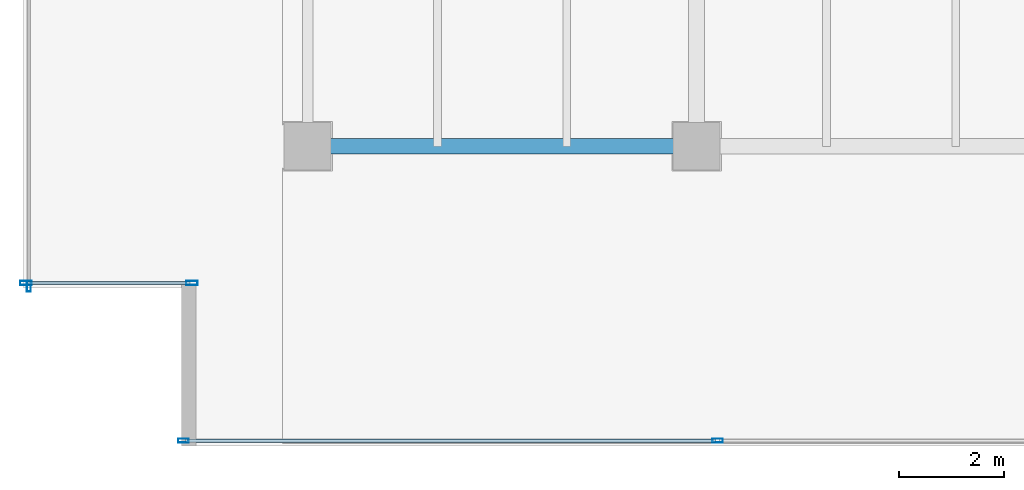
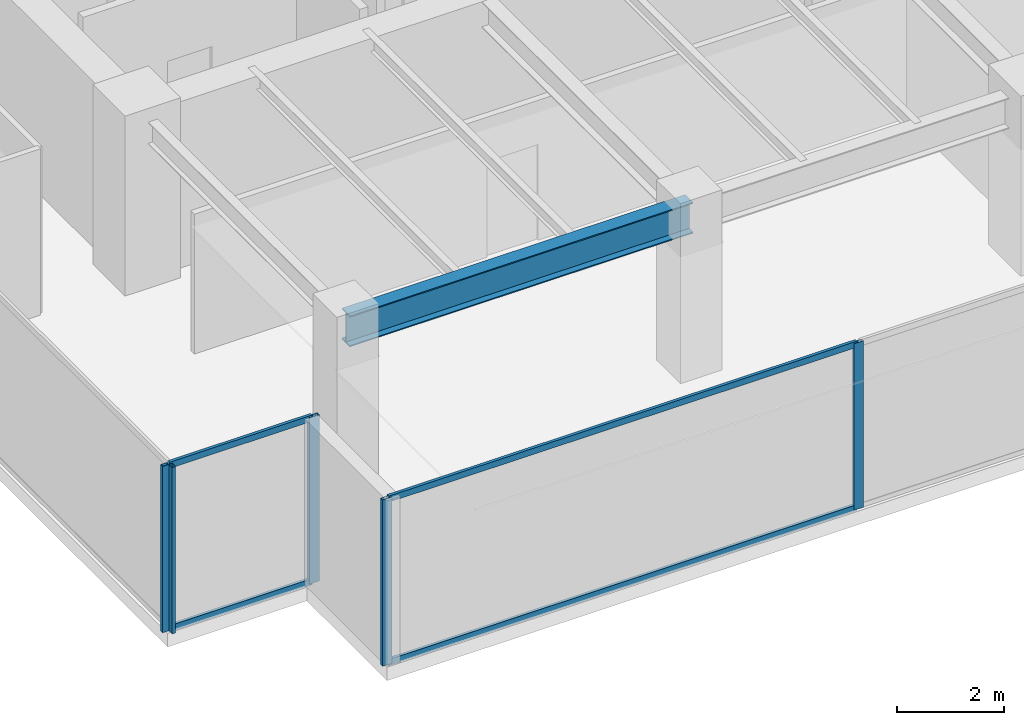
# One storey, part 2 of 34: 9 members, 1 beam, 3 elements without a shape of their own.
"""IFC4 building model written with IfcOpenShell, lengths in metres."""

from ifc_helpers import new_model, si_unit, direction, frame, origin, origin_2d, place, context, subcontext, project, spatial, hollow_rectangle, i_section, extrude, source, transform, mapped, material, layer, layer_set, material_profile, profile_set, type_object, type_shapes, element, aggregate, save


model = new_model("IFC4")

# Units and contexts
model_context = context("Model", 3, precision=1e-05, world=origin(), true_north=direction((0.0, 1.0)))
body_context = subcontext(model_context, "Body", "Model", "MODEL_VIEW")
ifc_project = project(units=[si_unit("LENGTHUNIT", "METRE"), si_unit("AREAUNIT", "SQUARE_METRE"), si_unit("VOLUMEUNIT", "CUBIC_METRE"), si_unit("PLANEANGLEUNIT", "RADIAN"), si_unit("MASSUNIT", "GRAM", prefix="KILO")], contexts=[model_context])

# Site, building, storey
site_placement = place(None, origin())
site = spatial("IfcSite", under=ifc_project, at=site_placement, CompositionType="ELEMENT")
building_placement = place(site_placement, origin())
building = spatial("IfcBuilding", under=site, at=building_placement, Name="Haelvirn Gate Laboratories", CompositionType="ELEMENT")
storey_placement = place(building_placement, frame((0.0, 0.0, 178.89990234375)))
storey = spatial("IfcBuildingStorey", under=building, at=storey_placement, Name="L43", CompositionType="ELEMENT", Elevation=178.89990234375)

# Beam
ifc_material_1 = material(Name="Steel SM355", Category="steel")
ifc_material_profile_1 = material_profile(ifc_material_1, i_section(OverallWidth=0.300048828125, OverallDepth=0.699951171875, WebThickness=0.012939453125, FlangeThickness=0.02392578125, at=origin_2d()), Name="H-700x300x13x24")
ifc_profile_set_1 = profile_set([ifc_material_profile_1], Name="Steel SM355")
beam_type = type_object("IfcBeamType", Name="BM-G-700", PredefinedType="BEAM", material=ifc_profile_set_1)
shared_shape_1 = source(origin(), body_context, "Body", "SweptSolid", [
    extrude(i_section(OverallWidth=0.300048828125, OverallDepth=0.699951171875, WebThickness=0.012939453125, FlangeThickness=0.02392578125, at=origin_2d()), origin(), (0.0, 0.0, 1.0), 7.400146484375),
])
type_shapes(beam_type, [shared_shape_1])
beam_placement = place(storey_placement, frame((7.39990234375, 7.0, 3.440185546875), z_axis=(1.0, 0.0, 0.0), x_axis=(0.0, 1.0, 0.0)))
element("IfcBeam", 1, at=beam_placement, inside=storey, type_object=beam_type, Name="L43 Primary Girder Y7.0 (7.4-14.8)", PredefinedType="BEAM", context=body_context, shape_type="MappedRepresentation", body=[
    mapped(shared_shape_1, transform((0.0, 0.0, 0.0), scale=1.0)),
])

# Curtain wall, members
ifc_material_2 = material(Name="Anodised bronze unitised aluminium & triple low-E glass", Category="aluminium")
ifc_layer_1 = layer(ifc_material_2, 0.179931640625, Name="CW-SYS-3")
ifc_layer_set_1 = layer_set([ifc_layer_1], Name="Anodised bronze unitised aluminium & triple low-E glass")
curtain_wall_type_1 = type_object("IfcCurtainWallType", Name="CW-SYS-3", PredefinedType="NOTDEFINED", material=ifc_layer_set_1)
curtain_wall_1_placement = place(storey_placement, origin())
curtain_wall_1 = element("IfcCurtainWall", 2, at=curtain_wall_1_placement, inside=storey, type_object=curtain_wall_type_1, Name="L43 Unitised Curtain Wall CW-L43-P0-E00-1", PredefinedType="NOTDEFINED")
ifc_material_3 = material(Name="Extruded aluminium 6063-T6 (anodised bronze)", Category="aluminium")
ifc_material_profile_2 = material_profile(ifc_material_3, hollow_rectangle(XDim=0.06494140625, YDim=0.139892578125, WallThickness=0.00390625, at=origin_2d()), Name="CWT-140x65x4")
ifc_profile_set_2 = profile_set([ifc_material_profile_2], Name="Extruded aluminium 6063-T6 (anodised bronze)")
member_type_1 = type_object("IfcMemberType", Name="CWT-T140", PredefinedType="USERDEFINED", material=ifc_profile_set_2)
shared_shape_2 = source(origin(), body_context, "Body", "SweptSolid", [
    extrude(hollow_rectangle(XDim=0.06494140625, YDim=0.139892578125, WallThickness=0.00390625, at=origin_2d()), origin(), (0.0, 0.0, 1.0), 10.087646484375),
])
member_1_placement = place(storey_placement, frame((5.074951171875, 1.39990234375, 0.03271484375), z_axis=(1.0, 0.0, 0.0), x_axis=(0.0, 1.0, 0.0)))
member_1 = element("IfcMember", 3, at=member_1_placement, type_object=member_type_1, Name="CW3 transom 1.1", ObjectType="TRANSOM", PredefinedType="USERDEFINED", context=body_context, shape_type="MappedRepresentation", body=[
    mapped(shared_shape_2, transform((0.0, 0.0, 0.0), scale=1.0)),
])
member_2_placement = place(storey_placement, frame((5.074951171875, 1.39990234375, 3.757568359375), z_axis=(1.0, 0.0, 0.0), x_axis=(0.0, 1.0, 0.0)))
member_2 = element("IfcMember", 4, at=member_2_placement, type_object=member_type_1, Name="CW3 transom 1.2", ObjectType="TRANSOM", PredefinedType="USERDEFINED", context=body_context, shape_type="MappedRepresentation", body=[
    mapped(shared_shape_2, transform((0.0, 0.0, 0.0), scale=1.0)),
])

ifc_layer_2 = layer(ifc_material_2, 0.181884765625, Name="CW-SYS-5")
ifc_layer_set_2 = layer_set([ifc_layer_2], Name="Anodised bronze unitised aluminium & triple low-E glass")
curtain_wall_type_2 = type_object("IfcCurtainWallType", Name="CW-SYS-5", PredefinedType="NOTDEFINED", material=ifc_layer_set_2)
curtain_wall_2_placement = place(storey_placement, origin())
curtain_wall_2 = element("IfcCurtainWall", 5, at=curtain_wall_2_placement, inside=storey, type_object=curtain_wall_type_2, Name="L43 Unitised Curtain Wall CW-L43-P0-E18-1", PredefinedType="NOTDEFINED")
shared_shape_3 = source(origin(), body_context, "Body", "SweptSolid", [
    extrude(hollow_rectangle(XDim=0.06494140625, YDim=0.139892578125, WallThickness=0.00390625, at=origin_2d()), origin(), (0.0, 0.0, 1.0), 3.079833984375),
])
type_shapes(member_type_1, [shared_shape_2, shared_shape_3])
member_3_placement = place(storey_placement, frame((2.080078125, 4.39990234375, 0.03271484375), z_axis=(1.0, 0.0, 0.0), x_axis=(0.0, 1.0, 0.0)))
member_3 = element("IfcMember", 6, at=member_3_placement, type_object=member_type_1, Name="CW5 transom 1.1", ObjectType="TRANSOM", PredefinedType="USERDEFINED", context=body_context, shape_type="MappedRepresentation", body=[
    mapped(shared_shape_3, transform((0.0, 0.0, 0.0), scale=1.0)),
])
member_4_placement = place(storey_placement, frame((2.080078125, 4.39990234375, 3.757568359375), z_axis=(1.0, 0.0, 0.0), x_axis=(0.0, 1.0, 0.0)))
member_4 = element("IfcMember", 7, at=member_4_placement, type_object=member_type_1, Name="CW5 transom 1.2", ObjectType="TRANSOM", PredefinedType="USERDEFINED", context=body_context, shape_type="MappedRepresentation", body=[
    mapped(shared_shape_3, transform((0.0, 0.0, 0.0), scale=1.0)),
])

# Member
ifc_material_profile_3 = material_profile(ifc_material_3, hollow_rectangle(XDim=0.074951171875, YDim=0.199951171875, WallThickness=0.0048828125, at=origin_2d()), Name="CWM-200x75x5")
ifc_profile_set_3 = profile_set([ifc_material_profile_3], Name="Extruded aluminium 6063-T6 (anodised bronze)")
member_type_2 = type_object("IfcMemberType", Name="CWM-T200", PredefinedType="MULLION", material=ifc_profile_set_3)
shared_shape_4 = source(origin(), body_context, "Body", "SweptSolid", [
    extrude(hollow_rectangle(XDim=0.074951171875, YDim=0.199951171875, WallThickness=0.0048828125, at=origin_2d()), origin(), (0.0, 0.0, 1.0), 3.7900390625),
])
type_shapes(member_type_2, [shared_shape_4])
member_5_placement = place(storey_placement, frame((5.03759765625, 1.39990234375, 0.0), z_axis=(0.0, 0.0, 1.0), x_axis=(0.0, 1.0, 0.0)))
member_5 = element("IfcMember", 8, at=member_5_placement, type_object=member_type_2, Name="CW3 mullion 1", PredefinedType="MULLION", context=body_context, shape_type="MappedRepresentation", body=[
    mapped(shared_shape_4, transform((0.0, 0.0, 0.0), scale=1.0)),
])

member_6_placement = place(storey_placement, frame((15.199951171875, 1.39990234375, 0.0), z_axis=(0.0, 0.0, 1.0), x_axis=(0.0, 1.0, 0.0)))
member_6 = element("IfcMember", 9, at=member_6_placement, type_object=member_type_2, Name="CW3 mullion 2", PredefinedType="MULLION", context=body_context, shape_type="MappedRepresentation", body=[
    mapped(shared_shape_4, transform((0.0, 0.0, 0.0), scale=1.0)),
])

aggregate(curtain_wall_1, [member_5, member_6, member_1, member_2])

# Curtain wall, member
curtain_wall_3_placement = place(storey_placement, origin())
curtain_wall_3 = element("IfcCurtainWall", 10, at=curtain_wall_3_placement, inside=storey, type_object=curtain_wall_type_1, Name="L43 Unitised Curtain Wall CW-L43-P0-E17", PredefinedType="NOTDEFINED")
member_7_placement = place(storey_placement, frame((2.10009765625, 4.33740234375, 0.0), z_axis=(0.0, 0.0, 1.0), x_axis=(1.0, 0.0, 0.0)))
member_7 = element("IfcMember", 11, at=member_7_placement, type_object=member_type_2, Name="CW3 mullion 4", PredefinedType="MULLION", context=body_context, shape_type="MappedRepresentation", body=[
    mapped(shared_shape_4, transform((0.0, 0.0, 0.0), scale=1.0)),
])
aggregate(curtain_wall_3, [member_7])

# Member
ifc_material_profile_4 = material_profile(ifc_material_3, hollow_rectangle(XDim=0.080078125, YDim=0.219970703125, WallThickness=0.006103515625, at=origin_2d()), Name="CWM-220x80x6")
ifc_profile_set_4 = profile_set([ifc_material_profile_4], Name="Extruded aluminium 6063-T6 (anodised bronze)")
member_type_3 = type_object("IfcMemberType", Name="CWM-T220", PredefinedType="MULLION", material=ifc_profile_set_4)
shared_shape_5 = source(origin(), body_context, "Body", "SweptSolid", [
    extrude(hollow_rectangle(XDim=0.080078125, YDim=0.219970703125, WallThickness=0.006103515625, at=origin_2d()), origin(), (0.0, 0.0, 1.0), 3.7900390625),
])
type_shapes(member_type_3, [shared_shape_5])
member_8_placement = place(storey_placement, frame((2.0400390625, 4.39990234375, 0.0), z_axis=(0.0, 0.0, 1.0), x_axis=(0.0, 1.0, 0.0)))
member_8 = element("IfcMember", 12, at=member_8_placement, type_object=member_type_3, Name="CW5 mullion 1", PredefinedType="MULLION", context=body_context, shape_type="MappedRepresentation", body=[
    mapped(shared_shape_5, transform((0.0, 0.0, 0.0), scale=1.0)),
])

member_9_placement = place(storey_placement, frame((5.199951171875, 4.39990234375, 0.0), z_axis=(0.0, 0.0, 1.0), x_axis=(0.0, 1.0, 0.0)))
member_9 = element("IfcMember", 13, at=member_9_placement, type_object=member_type_3, Name="CW5 mullion 2", PredefinedType="MULLION", context=body_context, shape_type="MappedRepresentation", body=[
    mapped(shared_shape_5, transform((0.0, 0.0, 0.0), scale=1.0)),
])

aggregate(curtain_wall_2, [member_8, member_9, member_3, member_4])

save(model, "model.ifc")
